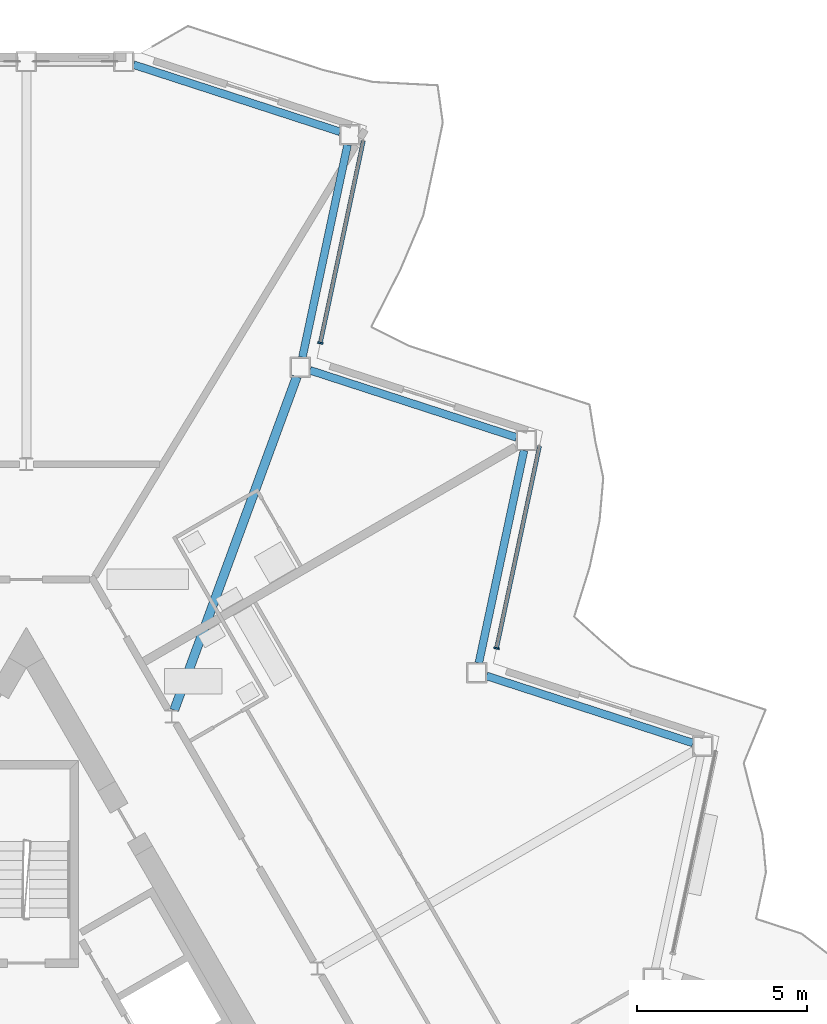
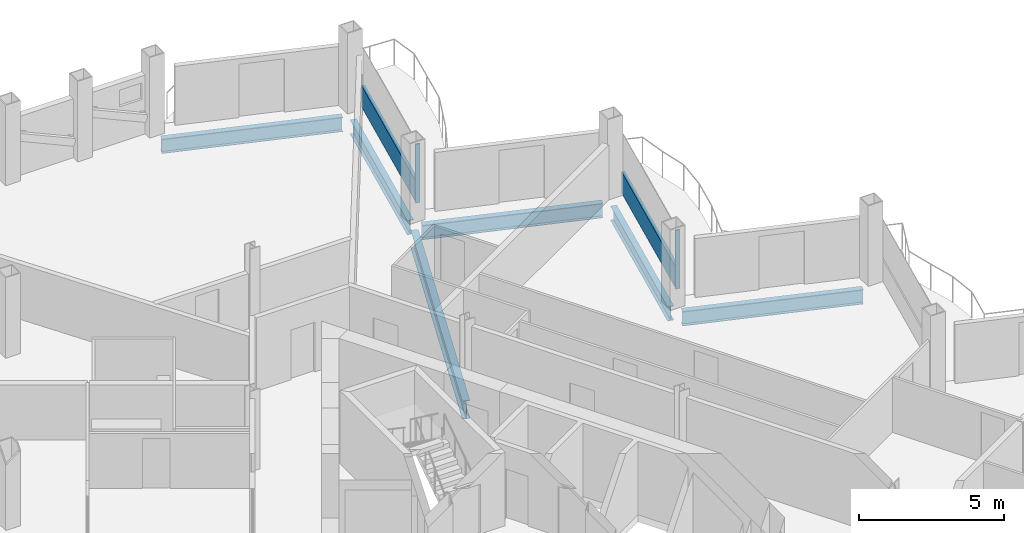
# One storey, part 11 of 27: 6 beams, 4 members, 2 elements without a shape of their own.
"""IFC4 building model written with IfcOpenShell, lengths in metres."""

from ifc_helpers import new_model, si_unit, direction, frame, origin, origin_2d, place, context, subcontext, project, spatial, rectangle, i_section, extrude, material, layer, layer_set, material_profile, profile_set, type_object, element, aggregate, save


model = new_model("IFC4")

# Units and contexts
model_context = context("Model", 3, precision=1e-05, world=origin(), true_north=direction((0.0, 1.0)))
body_context = subcontext(model_context, "Body", "Model", "MODEL_VIEW")
ifc_project = project(units=[si_unit("LENGTHUNIT", "METRE"), si_unit("AREAUNIT", "SQUARE_METRE"), si_unit("VOLUMEUNIT", "CUBIC_METRE"), si_unit("PLANEANGLEUNIT", "RADIAN"), si_unit("MASSUNIT", "GRAM", prefix="KILO")], contexts=[model_context])

# Site, building, storey
site_placement = place(None, origin())
site = spatial("IfcSite", under=ifc_project, at=site_placement, CompositionType="ELEMENT")
building_placement = place(site_placement, origin())
building = spatial("IfcBuilding", under=site, at=building_placement, Name="Cormorant Prow Tower", CompositionType="ELEMENT")
storey_placement = place(building_placement, frame((0.0, 0.0, 318.800048828125)))
storey = spatial("IfcBuildingStorey", under=building, at=storey_placement, Name="L70", CompositionType="ELEMENT", Elevation=318.800048828125)

# Beam
ifc_material_1 = material(Name="Structural steel ASTM A992 Gr 50", Category="steel")
ifc_material_profile_1 = material_profile(ifc_material_1, i_section(OverallWidth=0.267822265625, OverallDepth=0.77001953125, WebThickness=0.015625, FlangeThickness=0.025390625, at=origin_2d()), Name="W30x132")
ifc_profile_set_1 = profile_set([ifc_material_profile_1], Name="Structural steel ASTM A992 Gr 50")
beam_type_1 = type_object("IfcBeamType", Name="Radial floor beam W30x132", PredefinedType="BEAM", material=ifc_profile_set_1)
beam_1_placement = place(storey_placement, frame((4.357421875, 12.5673828125, -0.68505859375), z_axis=(0.345131226703, 0.938554439739, 0.0), x_axis=(-0.938554439739, 0.345131226703, 0.0)))
element("IfcBeam", 1, at=beam_1_placement, inside=storey, type_object=beam_type_1, Name="Radial floor beam FB3 12 L70", PredefinedType="BEAM", context=body_context, shape_type="SweptSolid", body=[
    extrude(i_section(OverallWidth=0.267822265625, OverallDepth=0.77001953125, WebThickness=0.015625, FlangeThickness=0.025390625, at=origin_2d()), origin(), (0.0, 0.0, 1.0), 10.465087890625),
])

# Curtain wall, member
ifc_material_2 = material(Name="Aluminium 6063-T6", Category="aluminium")
ifc_layer = layer(ifc_material_2, 0.159912109375)
ifc_layer_set = layer_set([ifc_layer], Name="Aluminium 6063-T6")
curtain_wall_type = type_object("IfcCurtainWallType", Name="Residential unitised curtain wall 160", PredefinedType="NOTDEFINED", material=ifc_layer_set)
curtain_wall_1_placement = place(storey_placement, origin())
curtain_wall_1 = element("IfcCurtainWall", 2, at=curtain_wall_1_placement, inside=storey, type_object=curtain_wall_type, Name="Residential curtain wall ENE06", PredefinedType="NOTDEFINED")
ifc_material_3 = material(Name="Aluminium 6063-T6", Category="aluminium")
ifc_material_profile_2 = material_profile(ifc_material_3, rectangle(XDim=0.159912109375, YDim=0.050048828125, at=origin_2d()), Name="Residential mullion 50x160")
ifc_profile_set_2 = profile_set([ifc_material_profile_2], Name="Aluminium 6063-T6")
member_type_1 = type_object("IfcMemberType", Name="Residential mullion 50x160", PredefinedType="MULLION", material=ifc_profile_set_2)
member_1_placement = place(storey_placement, frame((13.855224609375, 14.389404296875, 0.0), z_axis=(0.0, 0.0, 1.0), x_axis=(-0.978147586048, 0.207911759908, 0.0)))
member_1 = element("IfcMember", 3, at=member_1_placement, type_object=member_type_1, Name="Residential mullion ENE06", PredefinedType="MULLION", context=body_context, shape_type="SweptSolid", body=[
    extrude(rectangle(XDim=0.159912109375, YDim=0.050048828125, at=origin_2d()), origin(), (0.0, 0.0, 1.0), 2.48779296875),
])

curtain_wall_2_placement = place(storey_placement, origin())
curtain_wall_2 = element("IfcCurtainWall", 4, at=curtain_wall_2_placement, inside=storey, type_object=curtain_wall_type, Name="Residential curtain wall ENE08", PredefinedType="NOTDEFINED")
member_2_placement = place(storey_placement, frame((8.662353515625, 23.383544921875, 0.0), z_axis=(0.0, 0.0, 1.0), x_axis=(-0.978147615151, 0.207911622991, 0.0)))
member_2 = element("IfcMember", 5, at=member_2_placement, type_object=member_type_1, Name="Residential mullion ENE08", PredefinedType="MULLION", context=body_context, shape_type="SweptSolid", body=[
    extrude(rectangle(XDim=0.159912109375, YDim=0.050048828125, at=origin_2d()), origin(), (0.0, 0.0, 1.0), 2.48779296875),
])

# Member
ifc_material_4 = material(Name="Terracotta", Category="masonry")
ifc_material_profile_3 = material_profile(ifc_material_4, rectangle(XDim=0.1201171875, YDim=0.89990234375, at=origin_2d()), Name="Residential terracotta spandrel rail 120x900")
ifc_profile_set_3 = profile_set([ifc_material_profile_3], Name="Terracotta")
member_type_2 = type_object("IfcMemberType", Name="Residential terracotta spandrel rail 120x900", PredefinedType="USERDEFINED", material=ifc_profile_set_3)
member_3_placement = place(storey_placement, frame((13.8603515625, 14.413818359375, 0.449951171875), z_axis=(0.207913597079, 0.978147195544, 0.0), x_axis=(-0.978147195544, 0.207913597079, 0.0)))
member_3 = element("IfcMember", 6, at=member_3_placement, type_object=member_type_2, Name="Residential spandrel rail ENE06", ObjectType="TRANSOM", PredefinedType="USERDEFINED", context=body_context, shape_type="SweptSolid", body=[
    extrude(rectangle(XDim=0.1201171875, YDim=0.89990234375, at=origin_2d()), origin(), (0.0, 0.0, 1.0), 6.069580078125),
])

aggregate(curtain_wall_1, [member_1, member_3])

member_4_placement = place(storey_placement, frame((8.667724609375, 23.407958984375, 0.449951171875), z_axis=(0.207913597079, 0.978147195544, 0.0), x_axis=(-0.978147195544, 0.207913597079, 0.0)))
member_4 = element("IfcMember", 7, at=member_4_placement, type_object=member_type_2, Name="Residential spandrel rail ENE08", ObjectType="TRANSOM", PredefinedType="USERDEFINED", context=body_context, shape_type="SweptSolid", body=[
    extrude(rectangle(XDim=0.1201171875, YDim=0.89990234375, at=origin_2d()), origin(), (0.0, 0.0, 1.0), 6.069580078125),
])

aggregate(curtain_wall_2, [member_2, member_4])

# Beams
ifc_material_5 = material(Name="Structural steel ASTM A992 Gr 50", Category="steel")
ifc_material_profile_4 = material_profile(ifc_material_5, i_section(OverallWidth=0.22900390625, OverallDepth=0.612060546875, WebThickness=0.011962890625, FlangeThickness=0.01953125, at=origin_2d()), Name="W24x84")
ifc_profile_set_4 = profile_set([ifc_material_profile_4], Name="Structural steel ASTM A992 Gr 50")
beam_type_2 = type_object("IfcBeamType", Name="Spandrel beam W24x84", PredefinedType="SPANDREL", material=ifc_profile_set_4)
for number, where, z_axis, x_axis, name in (
    (8, (19.640380859375, 11.5966796875, -0.606201171875), (-0.95105314132, 0.309027381286, 0.0), (-0.309027381286, -0.95105314132, 0.0), "Spandrel beam SB3 ENE05-ENE06 L70"),
    (9, (13.334228515625, 13.95947265625, -0.606201171875), (0.207920386839, 0.978145752297, 0.0), (-0.978145752297, 0.207920386839, 0.0), "Spandrel beam SB3 ENE06-ENE07 L70"),
    (10, (14.441162109375, 20.601806640625, -0.606201171875), (-0.95105314132, 0.309027381286, 0.0), (-0.309027381286, -0.95105314132, 0.0), "Spandrel beam SB3 ENE07-ENE08 L70"),
):
    element("IfcBeam", number, at=place(storey_placement, frame(where, z_axis=z_axis, x_axis=x_axis)), inside=storey, type_object=beam_type_2, Name=name, PredefinedType="SPANDREL", context=body_context, shape_type="SweptSolid", body=[
        extrude(i_section(OverallWidth=0.22900390625, OverallDepth=0.612060546875, WebThickness=0.011962890625, FlangeThickness=0.01953125, at=origin_2d()), origin(), (0.0, 0.0, 1.0), 6.39599609375),
    ])
beam_2_placement = place(storey_placement, frame((8.13525390625, 22.96435546875, -0.606201171875), z_axis=(0.20791262393, 0.978147402394, 0.0), x_axis=(-0.978147402394, 0.20791262393, 0.0)))
element("IfcBeam", 11, at=beam_2_placement, inside=storey, type_object=beam_type_2, Name="Spandrel beam SB3 ENE08-ENE09 L70", PredefinedType="SPANDREL", context=body_context, shape_type="SweptSolid", body=[
    extrude(i_section(OverallWidth=0.22900390625, OverallDepth=0.612060546875, WebThickness=0.011962890625, FlangeThickness=0.01953125, at=origin_2d()), origin(), (0.0, 0.0, 1.0), 6.396240234375),
])
beam_3_placement = place(storey_placement, frame((9.2421875, 29.60693359375, -0.606201171875), z_axis=(-0.951064359156, 0.308992855489, 0.0), x_axis=(-0.308992855489, -0.951064359156, 0.0)))
element("IfcBeam", 12, at=beam_3_placement, inside=storey, type_object=beam_type_2, Name="Spandrel beam SB3 ENE09-N00 L70", PredefinedType="SPANDREL", context=body_context, shape_type="SweptSolid", body=[
    extrude(i_section(OverallWidth=0.22900390625, OverallDepth=0.612060546875, WebThickness=0.011962890625, FlangeThickness=0.01953125, at=origin_2d()), origin(), (0.0, 0.0, 1.0), 6.39599609375),
])

save(model, "model.ifc")
